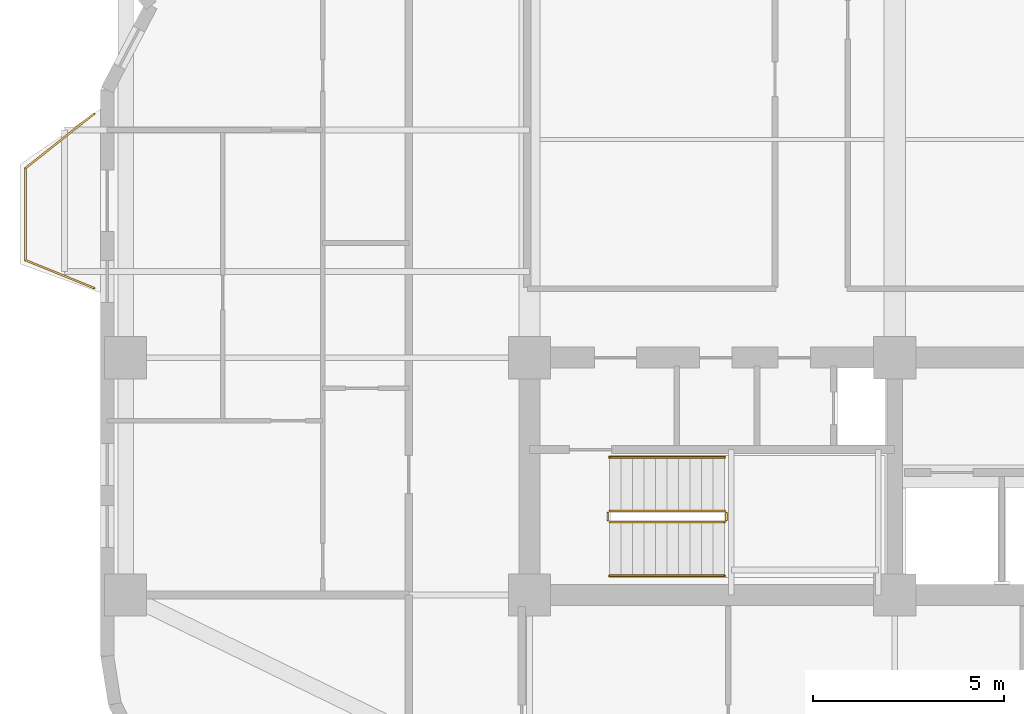
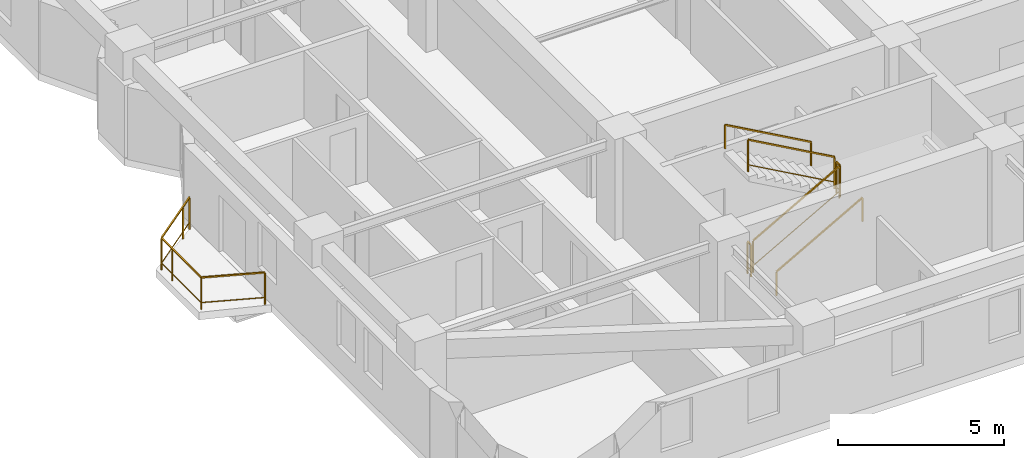
# One storey, part 9 of 10: 7 railings.
"""IFC4 building model written with IfcOpenShell, lengths in metres."""

from ifc_helpers import new_model, si_unit, direction, frame, origin, origin_2d, place, context, subcontext, project, spatial, rectangle, extrude, material, type_object, element, save


model = new_model("IFC4")

# Units and contexts
model_context = context("Model", 3, precision=1e-05, world=origin(), true_north=direction((0.0, 1.0)))
body_context = subcontext(model_context, "Body", "Model", "MODEL_VIEW")
ifc_project = project(units=[si_unit("LENGTHUNIT", "METRE"), si_unit("AREAUNIT", "SQUARE_METRE"), si_unit("VOLUMEUNIT", "CUBIC_METRE"), si_unit("PLANEANGLEUNIT", "RADIAN"), si_unit("MASSUNIT", "GRAM", prefix="KILO")], contexts=[model_context])

# Site, building, storey
site_placement = place(None, origin())
site = spatial("IfcSite", under=ifc_project, at=site_placement, CompositionType="ELEMENT")
building_placement = place(site_placement, origin())
building = spatial("IfcBuilding", under=site, at=building_placement, Name="Svetorya Sky Lyceum", CompositionType="ELEMENT")
storey_placement = place(building_placement, frame((0.0, 0.0, 132.699951171875)))
storey = spatial("IfcBuildingStorey", under=building, at=storey_placement, Name="L33", CompositionType="ELEMENT", Elevation=132.699951171875)

# Railings
ifc_material_1 = material(Name="Laminated safety glass and stainless AISI 316", Category="glass")
railing_type_1 = type_object("IfcRailingType", Name="RL-BAL-1200", PredefinedType="BALUSTRADE", material=ifc_material_1)
railing_1_placement = place(storey_placement, frame((14.22998046875, 18.6201171875, 0.0)))
element("IfcRailing", 1, at=railing_1_placement, inside=storey, type_object=railing_type_1, Name="L33 Balcony Balustrade BAL-W1", PredefinedType="BALUSTRADE", context=body_context, shape_type="SweptSolid", body=[
    extrude(rectangle(XDim=0.048095703125, YDim=0.048095703125, at=origin_2d()), frame((0.0, 0.0, 1.17578125), z_axis=(-0.926697865975, 0.375807218129, 0.0), x_axis=(-0.375807218129, -0.926697865975, 0.0)), (0.0, 0.0, 1.0), 1.9423828125),
    extrude(rectangle(XDim=0.02392578125, YDim=0.02392578125, at=origin_2d()), frame((0.0, 0.0, 0.25), z_axis=(-0.926697865975, 0.375807218129, 0.0), x_axis=(-0.375807218129, -0.926697865975, 0.0)), (0.0, 0.0, 1.0), 1.9423828125),
    extrude(rectangle(XDim=0.048095703125, YDim=0.048095703125, at=origin_2d()), frame((-1.800048828125, 0.72998046875, 1.17578125), z_axis=(0.0, 1.0, 0.0), x_axis=(-1.0, 0.0, 0.0)), (0.0, 0.0, 1.0), 2.39990234375),
    extrude(rectangle(XDim=0.02392578125, YDim=0.02392578125, at=origin_2d()), frame((-1.800048828125, 0.72998046875, 0.25), z_axis=(0.0, 1.0, 0.0), x_axis=(-1.0, 0.0, 0.0)), (0.0, 0.0, 1.0), 2.39990234375),
    extrude(rectangle(XDim=0.048095703125, YDim=0.048095703125, at=origin_2d()), frame((-1.800048828125, 3.1298828125, 1.17578125), z_axis=(0.783008919264, 0.622010476079, 0.0), x_axis=(-0.622010476079, 0.783008919264, 0.0)), (0.0, 0.0, 1.0), 2.298828125),
    extrude(rectangle(XDim=0.02392578125, YDim=0.02392578125, at=origin_2d()), frame((-1.800048828125, 3.1298828125, 0.25), z_axis=(0.783008919264, 0.622010476079, 0.0), x_axis=(-0.622010476079, 0.783008919264, 0.0)), (0.0, 0.0, 1.0), 2.298828125),
    extrude(rectangle(XDim=0.0419921875, YDim=0.0419921875, at=origin_2d()), origin(), (0.0, 0.0, 1.0), 1.15185546875),
    extrude(rectangle(XDim=0.0419921875, YDim=0.0419921875, at=origin_2d()), frame((-1.800048828125, 0.72998046875, 0.0)), (0.0, 0.0, 1.0), 1.15185546875),
    extrude(rectangle(XDim=0.0419921875, YDim=0.0419921875, at=origin_2d()), frame((-1.800048828125, 2.47998046875, 0.0)), (0.0, 0.0, 1.0), 1.15185546875),
    extrude(rectangle(XDim=0.0419921875, YDim=0.0419921875, at=origin_2d()), frame((-1.800048828125, 3.1298828125, 0.0)), (0.0, 0.0, 1.0), 1.15185546875),
    extrude(rectangle(XDim=0.0419921875, YDim=0.0419921875, at=origin_2d()), frame((-0.4296875, 4.218505859375, 0.0)), (0.0, 0.0, 1.0), 1.15185546875),
    extrude(rectangle(XDim=0.0419921875, YDim=0.0419921875, at=origin_2d()), frame((0.0, 4.559814453125, 0.0)), (0.0, 0.0, 1.0), 1.15185546875),
])
ifc_material_2 = material(Name="Painted galvanized stair well guard")
railing_type_2 = type_object("IfcRailingType", Name="RL-STR-GUARD-1200", PredefinedType="GUARDRAIL", material=ifc_material_2)
railing_2_placement = place(storey_placement, frame((27.699951171875, 12.5, 0.168212890625)))
element("IfcRailing", 2, at=railing_2_placement, inside=storey, type_object=railing_type_2, Name="L33 ST-S stair guard 1", PredefinedType="GUARDRAIL", context=body_context, shape_type="SweptSolid", body=[
    extrude(rectangle(XDim=0.048095703125, YDim=0.048095703125, at=origin_2d()), frame((0.0, 0.0, 1.17578125), z_axis=(0.872272294576, 0.0, 0.489020494575), x_axis=(0.0, 1.0, 0.0)), (0.0, 0.0, 1.0), 3.439208984375),
    extrude(rectangle(XDim=0.02392578125, YDim=0.02392578125, at=origin_2d()), frame((0.0, 0.0, 0.25), z_axis=(0.872272294576, 0.0, 0.489020494575), x_axis=(0.0, 1.0, 0.0)), (0.0, 0.0, 1.0), 3.439208984375),
    extrude(rectangle(XDim=0.0419921875, YDim=0.0419921875, at=origin_2d()), origin(), (0.0, 0.0, 1.0), 1.15185546875),
    extrude(rectangle(XDim=0.0419921875, YDim=0.0419921875, at=origin_2d()), frame((3.0, 0.0, 1.681884765625)), (0.0, 0.0, 1.0), 1.15185546875),
])
railing_3_placement = place(storey_placement, frame((30.75, 12.550048828125, 1.85009765625)))
element("IfcRailing", 3, at=railing_3_placement, inside=storey, type_object=railing_type_2, Name="L33 ST-S stair guard 2", PredefinedType="GUARDRAIL", context=body_context, shape_type="SweptSolid", body=[
    extrude(rectangle(XDim=0.048095703125, YDim=0.048095703125, at=origin_2d()), frame((0.0, 0.0, 1.17578125), z_axis=(0.0, 1.0, 0.0), x_axis=(-1.0, 0.0, 0.0)), (0.0, 0.0, 1.0), 0.199951171875),
    extrude(rectangle(XDim=0.02392578125, YDim=0.02392578125, at=origin_2d()), frame((0.0, 0.0, 0.25), z_axis=(0.0, 1.0, 0.0), x_axis=(-1.0, 0.0, 0.0)), (0.0, 0.0, 1.0), 0.199951171875),
    extrude(rectangle(XDim=0.0419921875, YDim=0.0419921875, at=origin_2d()), origin(), (0.0, 0.0, 1.0), 1.15185546875),
    extrude(rectangle(XDim=0.0419921875, YDim=0.0419921875, at=origin_2d()), frame((0.0, 0.199951171875, 0.0)), (0.0, 0.0, 1.0), 1.15185546875),
])
railing_4_placement = place(storey_placement, frame((30.699951171875, 12.800048828125, 2.018310546875)))
element("IfcRailing", 4, at=railing_4_placement, inside=storey, type_object=railing_type_2, Name="L33 ST-S stair guard 3", PredefinedType="GUARDRAIL", context=body_context, shape_type="SweptSolid", body=[
    extrude(rectangle(XDim=0.048095703125, YDim=0.048095703125, at=origin_2d()), frame((0.0, 0.0, 1.17578125), z_axis=(-0.872302573547, 0.0, 0.488966481656), x_axis=(0.0, -1.0, 0.0)), (0.0, 0.0, 1.0), 3.439208984375),
    extrude(rectangle(XDim=0.02392578125, YDim=0.02392578125, at=origin_2d()), frame((0.0, 0.0, 0.25), z_axis=(-0.872302573547, 0.0, 0.488966481656), x_axis=(0.0, -1.0, 0.0)), (0.0, 0.0, 1.0), 3.439208984375),
    extrude(rectangle(XDim=0.0419921875, YDim=0.0419921875, at=origin_2d()), origin(), (0.0, 0.0, 1.0), 1.15185546875),
    extrude(rectangle(XDim=0.0419921875, YDim=0.0419921875, at=origin_2d()), frame((-3.0, 0.0, 1.681640625)), (0.0, 0.0, 1.0), 1.15185546875),
])
railing_5_placement = place(storey_placement, frame((27.64990234375, 12.550048828125, 0.0)))
element("IfcRailing", 5, at=railing_5_placement, inside=storey, type_object=railing_type_2, Name="L33 ST-S stair guard 4", PredefinedType="GUARDRAIL", context=body_context, shape_type="SweptSolid", body=[
    extrude(rectangle(XDim=0.048095703125, YDim=0.048095703125, at=origin_2d()), frame((0.0, 0.0, 1.17578125), z_axis=(0.0, 1.0, 0.0), x_axis=(-1.0, 0.0, 0.0)), (0.0, 0.0, 1.0), 0.199951171875),
    extrude(rectangle(XDim=0.02392578125, YDim=0.02392578125, at=origin_2d()), frame((0.0, 0.0, 0.25), z_axis=(0.0, 1.0, 0.0), x_axis=(-1.0, 0.0, 0.0)), (0.0, 0.0, 1.0), 0.199951171875),
    extrude(rectangle(XDim=0.0419921875, YDim=0.0419921875, at=origin_2d()), origin(), (0.0, 0.0, 1.0), 1.15185546875),
    extrude(rectangle(XDim=0.0419921875, YDim=0.0419921875, at=origin_2d()), frame((0.0, 0.199951171875, 0.0)), (0.0, 0.0, 1.0), 1.15185546875),
])
ifc_material_3 = material(Name="Brushed stainless AISI 304 stair handrail")
railing_type_3 = type_object("IfcRailingType", Name="RL-STR-HAND-920", PredefinedType="HANDRAIL", material=ifc_material_3)
railing_6_placement = place(storey_placement, frame((27.699951171875, 11.10009765625, 0.168212890625)))
element("IfcRailing", 6, at=railing_6_placement, inside=storey, type_object=railing_type_3, Name="L33 ST-S stair handrail 1", PredefinedType="HANDRAIL", context=body_context, shape_type="SweptSolid", body=[
    extrude(rectangle(XDim=0.048095703125, YDim=0.048095703125, at=origin_2d()), frame((0.0, 0.0, 0.8759765625), z_axis=(0.872272294576, 0.0, 0.489020494575), x_axis=(0.0, 1.0, 0.0)), (0.0, 0.0, 1.0), 3.439208984375),
    extrude(rectangle(XDim=0.0419921875, YDim=0.0419921875, at=origin_2d()), origin(), (0.0, 0.0, 1.0), 0.851806640625),
    extrude(rectangle(XDim=0.0419921875, YDim=0.0419921875, at=origin_2d()), frame((3.0, 0.0, 1.681884765625)), (0.0, 0.0, 1.0), 0.851806640625),
])
railing_7_placement = place(storey_placement, frame((30.699951171875, 14.199951171875, 2.018310546875)))
element("IfcRailing", 7, at=railing_7_placement, inside=storey, type_object=railing_type_3, Name="L33 ST-S stair handrail 2", PredefinedType="HANDRAIL", context=body_context, shape_type="SweptSolid", body=[
    extrude(rectangle(XDim=0.048095703125, YDim=0.048095703125, at=origin_2d()), frame((0.0, 0.0, 0.8759765625), z_axis=(-0.872302573547, 0.0, 0.488966481656), x_axis=(0.0, -1.0, 0.0)), (0.0, 0.0, 1.0), 3.439208984375),
    extrude(rectangle(XDim=0.0419921875, YDim=0.0419921875, at=origin_2d()), origin(), (0.0, 0.0, 1.0), 0.851806640625),
    extrude(rectangle(XDim=0.0419921875, YDim=0.0419921875, at=origin_2d()), frame((-3.0, 0.0, 1.681640625)), (0.0, 0.0, 1.0), 0.851806640625),
])

save(model, "model.ifc")
